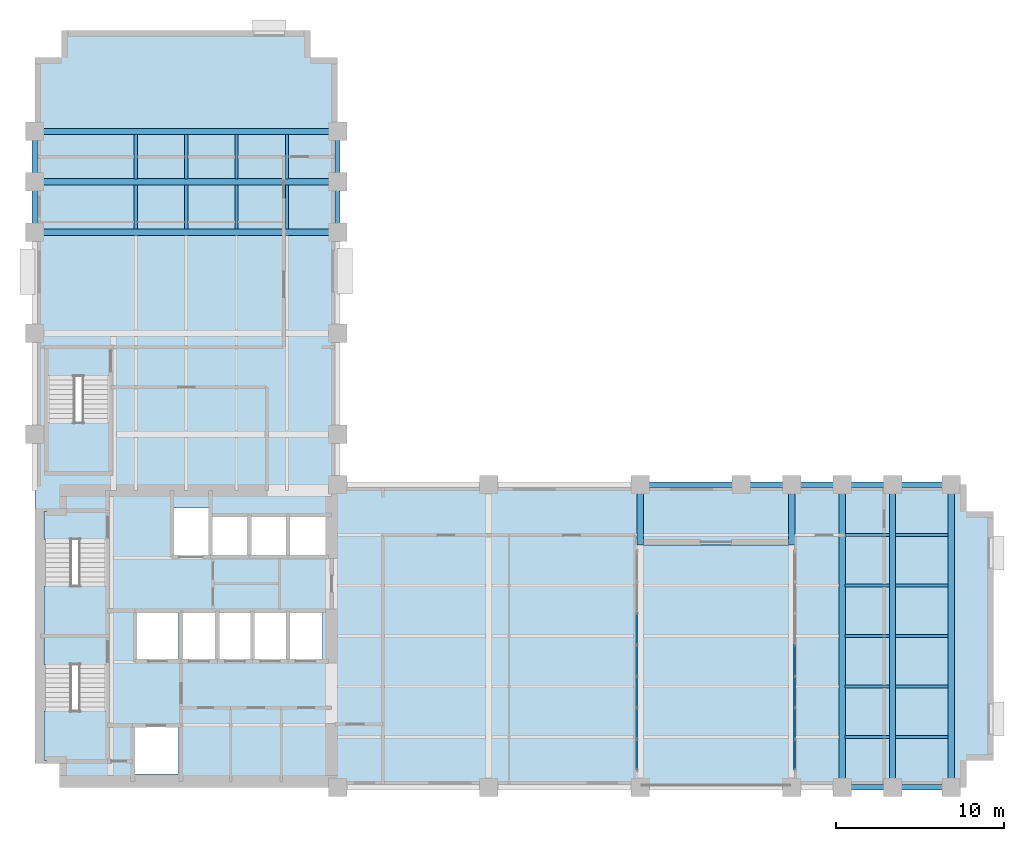
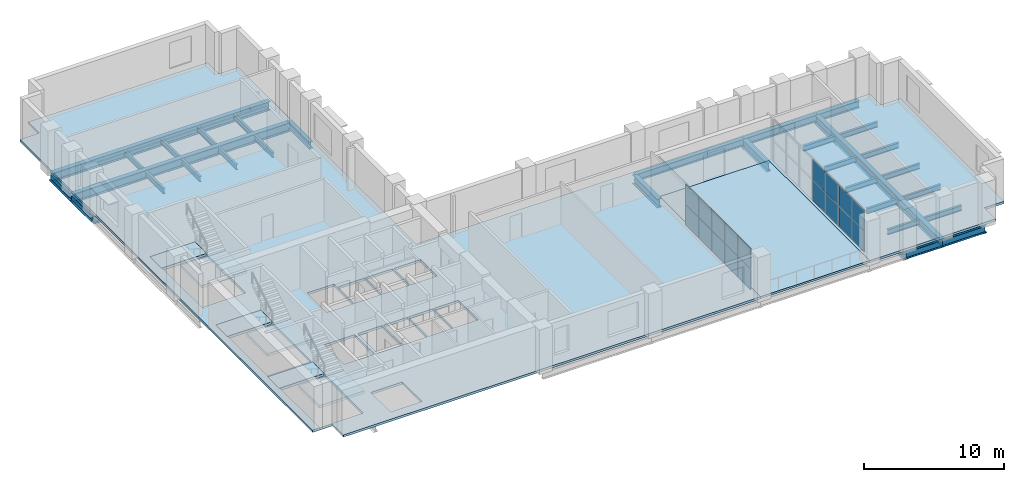
# One storey, part 6 of 12: 37 beams, 18 plates, 8 slabs, 5 elements without a shape of their own.
"""IFC4 building model written with IfcOpenShell, lengths in metres."""

import ifcopenshell
import ifcopenshell.guid

model = None  # the IFC model being written
_history = None  # IfcOwnerHistory: only IFC2X3 demands one
_inside = {}  # id of a spatial element -> (the spatial element, [elements in it])
_under = {}  # id of a project, library or spatial element -> (it, [spatial elements below it])
_declared = {}  # id of a project -> (the project, [libraries it declares])
_typed = {}  # id of a type object -> (the type object, [elements of that type])
_made_of = {}  # id of a material, layer set ... -> (it, [elements and type objects made of it])


def new_model(schema):
    """Start an empty IFC model of exactly this schema.

    Asked for "IFC4X3", IfcOpenShell would pick the latest addendum, in which some entities
    have other attributes; the version numbers below select the first issue.
    IFC2X3 requires an IfcOwnerHistory on every rooted entity: one is made here for all.
    """
    global model, _history
    if schema == "IFC4X3":
        model = ifcopenshell.file(schema_version=(4, 3, 0, 0))
    else:
        model = ifcopenshell.file(schema=schema)
    _inside.clear()
    _under.clear()
    _declared.clear()
    _typed.clear()
    _made_of.clear()
    _history = None
    if model.schema == "IFC2X3":
        org = make("IfcOrganization", Name="unknown")
        user = make(
            "IfcPersonAndOrganization",
            ThePerson=make("IfcPerson", FamilyName="unknown"),
            TheOrganization=org,
        )
        app = make(
            "IfcApplication",
            ApplicationDeveloper=org,
            Version="unknown",
            ApplicationFullName="unknown",
            ApplicationIdentifier="unknown",
        )
        _history = make(
            "IfcOwnerHistory",
            OwningUser=user,
            OwningApplication=app,
            ChangeAction="ADDED",
            CreationDate=0,
        )
    return model


def make(cls, **values):
    """One entity of the class cls with the attributes given. An attribute that is None is left unset."""
    return model.create_entity(
        cls, **{name: value for name, value in values.items() if value is not None}
    )


def rooted(cls, **values):
    """An entity with a GlobalId (a new one), such as an element, a storey or a relation."""
    return make(cls, GlobalId=ifcopenshell.guid.new(), OwnerHistory=_history, **values)


def si_unit(unit_type, name, prefix=None):
    """IfcSIUnit, for example si_unit("LENGTHUNIT", "METRE", prefix="MILLI")."""
    return make("IfcSIUnit", UnitType=unit_type, Prefix=prefix, Name=name)


def assignment(units):
    """IfcUnitAssignment: the units of a project."""
    return None if units is None else make("IfcUnitAssignment", Units=units)


def point(xyz):
    """IfcCartesianPoint."""
    return None if xyz is None else make("IfcCartesianPoint", Coordinates=xyz)


def direction(xyz):
    """IfcDirection."""
    return None if xyz is None else make("IfcDirection", DirectionRatios=xyz)


def frame(location, z_axis=None, x_axis=None):
    """IfcAxis2Placement3D, a coordinate frame: its origin and axes. An axis left out is left unset."""
    return make(
        "IfcAxis2Placement3D",
        Location=point(location),
        Axis=direction(z_axis),
        RefDirection=direction(x_axis),
    )


def frame_2d(location, x_axis=None):
    """IfcAxis2Placement2D, a coordinate frame in the plane: its origin and x axis."""
    return make(
        "IfcAxis2Placement2D", Location=point(location), RefDirection=direction(x_axis)
    )


def origin():
    """The frame at (0, 0, 0) with its axes left unset."""
    return frame((0.0, 0.0, 0.0))


def origin_2d():
    """The frame at (0, 0) in the plane with its x axis left unset."""
    return frame_2d((0.0, 0.0))


def place(relative_to, where):
    """IfcLocalPlacement: puts the frame where relative to a parent placement (None: the world)."""
    return make(
        "IfcLocalPlacement", PlacementRelTo=relative_to, RelativePlacement=where
    )


def context(
    kind, dimensions, precision=None, world=None, true_north=None, identifier=None
):
    """IfcGeometricRepresentationContext, for example the 3D "Model" context."""
    return make(
        "IfcGeometricRepresentationContext",
        ContextIdentifier=identifier,
        ContextType=kind,
        CoordinateSpaceDimension=dimensions,
        Precision=precision,
        WorldCoordinateSystem=world,
        TrueNorth=true_north,
    )


def subcontext(parent, identifier, kind, view, scale=None):
    """IfcGeometricRepresentationSubContext, for example "Body" below "Model"."""
    return make(
        "IfcGeometricRepresentationSubContext",
        ContextIdentifier=identifier,
        ContextType=kind,
        ParentContext=parent,
        TargetScale=scale,
        TargetView=view,
    )


def project(units=None, contexts=None):
    """IfcProject with its units and contexts."""
    return rooted(
        "IfcProject",
        Name="project",
        RepresentationContexts=contexts,
        UnitsInContext=assignment(units),
    )


def spatial(cls, under=None, at=None, **own):
    """A site, building, storey or space (cls), placed at a placement, below another one or the project."""
    s = rooted(cls, ObjectPlacement=at, **own)
    if under is not None:
        _under.setdefault(under.id(), (under, []))[1].append(s)
    return s


def polyline(points):
    """IfcPolyline through the points."""
    return make("IfcPolyline", Points=[point(p) for p in points])


def profile(cls, at=None, kind="AREA", **sizes):
    """A parametric profile (cls). Its sizes go by their IFC names, for example OverallWidth=200.0."""
    return make(cls, ProfileType=kind, Position=at, **sizes)


def rectangle(**sizes):
    """IfcRectangleProfileDef."""
    return profile("IfcRectangleProfileDef", **sizes)


def i_section(**sizes):
    """IfcIShapeProfileDef."""
    return profile("IfcIShapeProfileDef", **sizes)


def outline(outer, holes=None, kind="AREA"):
    """IfcArbitraryClosedProfileDef: a profile drawn as a closed curve; with holes, ...WithVoids."""
    if holes is None:
        return make("IfcArbitraryClosedProfileDef", ProfileType=kind, OuterCurve=outer)
    return make(
        "IfcArbitraryProfileDefWithVoids",
        ProfileType=kind,
        OuterCurve=outer,
        InnerCurves=holes,
    )


def extrude(swept, where, along, depth):
    """IfcExtrudedAreaSolid: the profile swept, set in the frame where, extruded along a direction by depth."""
    return make(
        "IfcExtrudedAreaSolid",
        SweptArea=swept,
        Position=where,
        ExtrudedDirection=direction(along),
        Depth=depth,
    )


def shape(context_of_items, identifier, shape_type, items):
    """IfcShapeRepresentation: the items that make up one representation, for example the "Body"."""
    return make(
        "IfcShapeRepresentation",
        ContextOfItems=context_of_items,
        RepresentationIdentifier=identifier,
        RepresentationType=shape_type,
        Items=items,
    )


def material(Name=None, Category=None):
    """IfcMaterial."""
    return make("IfcMaterial", Name=Name, Category=Category)


def layer(
    of_material, thickness, ventilated=None, Name=None, Category=None, Priority=None
):
    """IfcMaterialLayer: one layer of a wall or slab, of a material (None: an air gap)."""
    return make(
        "IfcMaterialLayer",
        Material=of_material,
        LayerThickness=thickness,
        IsVentilated=ventilated,
        Name=Name,
        Category=Category,
        Priority=Priority,
    )


def layer_set(layers, Name=None):
    """IfcMaterialLayerSet."""
    return make("IfcMaterialLayerSet", MaterialLayers=layers, LayerSetName=Name)


def material_profile(
    of_material, cross_section, Name=None, Category=None, Priority=None
):
    """IfcMaterialProfile: a cross section and its material."""
    return make(
        "IfcMaterialProfile",
        Name=Name,
        Material=of_material,
        Profile=cross_section,
        Priority=Priority,
        Category=Category,
    )


def profile_set(profiles, Name=None, composite=None):
    """IfcMaterialProfileSet."""
    return make(
        "IfcMaterialProfileSet",
        Name=Name,
        MaterialProfiles=profiles,
        CompositeProfile=composite,
    )


def made_of(thing, what):
    """Note that an element or type object is made of a material, layer set ...; save() writes the relation."""
    if what is not None:
        _made_of.setdefault(what.id(), (what, []))[1].append(thing)
    return thing


def type_object(cls, material=None, **own):
    """A type object (cls), such as IfcWallType, which elements share."""
    return made_of(rooted(cls, **own), material)


def element(
    cls,
    number,
    at=None,
    inside=None,
    cuts=None,
    type_object=None,
    material=None,
    context=None,
    identifier="Body",
    shape_type=None,
    held_by="IfcProductDefinitionShape",
    body=None,
    shapes=None,
    **own,
):
    """One element of the class cls, such as IfcWall. Its Tag is "e" and its number.

    at: its placement. inside: the storey or other place that contains it. cuts: it is an
    opening in that element (IfcRelVoidsElement). A single representation is given by context,
    identifier, shape_type and body (its items); several are given by shapes. held_by: the class
    of the entity that holds the representations. save() writes the other relations.
    """
    e = rooted(cls, Tag="e%d" % number, ObjectPlacement=at, **own)
    if body is not None:
        shapes = [shape(context, identifier, shape_type, body)]
    if shapes is not None:
        e.Representation = make(held_by, Representations=shapes)
    if inside is not None:
        _inside.setdefault(inside.id(), (inside, []))[1].append(e)
    if cuts is not None:
        rooted(
            "IfcRelVoidsElement", RelatingBuildingElement=cuts, RelatedOpeningElement=e
        )
    if type_object is not None:
        _typed.setdefault(type_object.id(), (type_object, []))[1].append(e)
    return made_of(e, material)


def aggregate(whole, parts):
    """IfcRelAggregates: a whole, such as a stair, and the parts it consists of."""
    return rooted("IfcRelAggregates", RelatingObject=whole, RelatedObjects=parts)


def save(model, path):
    """Write the relations noted so far, then the file.

    IfcRelAggregates (storeys below a building ...), IfcRelContainedInSpatialStructure (elements
    in a storey), IfcRelDefinesByType, IfcRelAssociatesMaterial and IfcRelDeclares: one each for
    every whole, place, type object, material and project.
    """
    for whole, parts in _under.values():
        aggregate(whole, parts)
    for where, things in _inside.values():
        rooted(
            "IfcRelContainedInSpatialStructure",
            RelatedElements=things,
            RelatingStructure=where,
        )
    for kind, things in _typed.values():
        rooted("IfcRelDefinesByType", RelatedObjects=things, RelatingType=kind)
    for what, things in _made_of.values():
        rooted("IfcRelAssociatesMaterial", RelatedObjects=things, RelatingMaterial=what)
    for by, libraries in _declared.values():
        rooted("IfcRelDeclares", RelatingContext=by, RelatedDefinitions=libraries)
    model.write(path)


model = new_model("IFC4")

# Units and contexts
model_context = context("Model", 3, precision=1e-05, world=origin(), true_north=direction((0.0, 1.0)))
body_context = subcontext(model_context, "Body", "Model", "MODEL_VIEW")
ifc_project = project(units=[si_unit("LENGTHUNIT", "METRE"), si_unit("AREAUNIT", "SQUARE_METRE"), si_unit("VOLUMEUNIT", "CUBIC_METRE"), si_unit("PLANEANGLEUNIT", "RADIAN"), si_unit("MASSUNIT", "GRAM", prefix="KILO")], contexts=[model_context])

# Site, building, storey
site_placement = place(None, origin())
site = spatial("IfcSite", under=ifc_project, at=site_placement, CompositionType="ELEMENT")
building_placement = place(site_placement, origin())
building = spatial("IfcBuilding", under=site, at=building_placement, Name="Mawjdan Bourse Tower", CompositionType="ELEMENT")
storey_placement = place(building_placement, frame((0.0, 0.0, 120.60009765625)))
storey = spatial("IfcBuildingStorey", under=building, at=storey_placement, Name="L28", CompositionType="ELEMENT", Elevation=120.60009765625)

# Beams
ifc_material_1 = material(Name="Structural Steel S355", Category="steel")
ifc_material_profile_1 = material_profile(ifc_material_1, i_section(OverallWidth=0.381103515625, OverallDepth=0.77294921875, WebThickness=0.0166015625, FlangeThickness=0.027099609375, FilletRadius=0.021728515625, at=origin_2d()), Name="W30X173")
ifc_profile_set_1 = profile_set([ifc_material_profile_1], Name="Structural Steel S355")
beam_type_1 = type_object("IfcBeamType", Name="GRD-W30X173", PredefinedType="BEAM", material=ifc_profile_set_1)
for number, where, z_axis, x_axis, name in (
    (1, (42.0, 17.39990234375, -0.586669921875), (0.0, 1.0, 0.0), (-1.0, 0.0, 0.0), "L28 East Wing Clear-Span Girder 004"),
    (2, (51.0, 17.39990234375, -0.586669921875), (0.0, 1.0, 0.0), (-1.0, 0.0, 0.0), "L28 East Wing Clear-Span Girder 006"),
):
    element("IfcBeam", number, at=place(storey_placement, frame(where, z_axis=z_axis, x_axis=x_axis)), inside=storey, type_object=beam_type_1, Name=name, PredefinedType="BEAM", context=body_context, shape_type="SweptSolid", body=[
        extrude(i_section(OverallWidth=0.381103515625, OverallDepth=0.77294921875, WebThickness=0.0166015625, FlangeThickness=0.027099609375, FilletRadius=0.021728515625, at=origin_2d()), origin(), (0.0, 0.0, 1.0), 3.60009765625),
    ])
for number, where, z_axis, x_axis, name in (
    (3, (54.0, 3.0, -0.586669921875), (0.0, 1.0, 0.0), (-1.0, 0.0, 0.0), "L28 East Wing Clear-Span Girder 007"),
    (4, (57.0, 3.0, -0.586669921875), (0.0, 1.0, 0.0), (-1.0, 0.0, 0.0), "L28 East Wing Clear-Span Girder 008"),
    (5, (60.5, 3.0, -0.586669921875), (0.0, 1.0, 0.0), (-1.0, 0.0, 0.0), "L28 East Wing Clear-Span Girder 009"),
    (6, (6.0, 36.0, -0.586669921875), (1.0, 0.0, 0.0), (0.0, 1.0, 0.0), "L28 North Wing Clear-Span Girder 060"),
    (7, (6.0, 39.0, -0.586669921875), (1.0, 0.0, 0.0), (0.0, 1.0, 0.0), "L28 North Wing Clear-Span Girder 061"),
    (8, (6.0, 42.0, -0.586669921875), (1.0, 0.0, 0.0), (0.0, 1.0, 0.0), "L28 North Wing Clear-Span Girder 062"),
):
    element("IfcBeam", number, at=place(storey_placement, frame(where, z_axis=z_axis, x_axis=x_axis)), inside=storey, type_object=beam_type_1, Name=name, PredefinedType="BEAM", context=body_context, shape_type="SweptSolid", body=[
        extrude(i_section(OverallWidth=0.381103515625, OverallDepth=0.77294921875, WebThickness=0.0166015625, FlangeThickness=0.027099609375, FilletRadius=0.021728515625, at=origin_2d()), origin(), (0.0, 0.0, 1.0), 18.0),
    ])
ifc_material_profile_2 = material_profile(ifc_material_1, i_section(OverallWidth=0.19189453125, OverallDepth=0.462890625, WebThickness=0.010498046875, FlangeThickness=0.017578125, FilletRadius=0.01416015625, at=origin_2d()), Name="W18X60")
ifc_profile_set_2 = profile_set([ifc_material_profile_2], Name="Structural Steel S355")
beam_type_2 = type_object("IfcBeamType", Name="JST-W18X60", PredefinedType="JOIST", material=ifc_profile_set_2)
beam_1_placement = place(storey_placement, frame((54.1884765625, 6.0, -0.431640625), z_axis=(1.0, 0.0, 0.0), x_axis=(0.0, 1.0, 0.0)))
element("IfcBeam", 9, at=beam_1_placement, inside=storey, type_object=beam_type_2, Name="L28 East Wing Composite Joist 027", PredefinedType="JOIST", context=body_context, shape_type="SweptSolid", body=[
    extrude(i_section(OverallWidth=0.19189453125, OverallDepth=0.462890625, WebThickness=0.010498046875, FlangeThickness=0.017578125, FilletRadius=0.01416015625, at=origin_2d()), origin(), (0.0, 0.0, 1.0), 2.623046875),
])
beam_2_placement = place(storey_placement, frame((57.1884765625, 6.0, -0.431640625), z_axis=(1.0, 0.0, 0.0), x_axis=(0.0, 1.0, 0.0)))
element("IfcBeam", 10, at=beam_2_placement, inside=storey, type_object=beam_type_2, Name="L28 East Wing Composite Joist 028", PredefinedType="JOIST", context=body_context, shape_type="SweptSolid", body=[
    extrude(i_section(OverallWidth=0.19189453125, OverallDepth=0.462890625, WebThickness=0.010498046875, FlangeThickness=0.017578125, FilletRadius=0.01416015625, at=origin_2d()), origin(), (0.0, 0.0, 1.0), 3.123046875),
])
beam_3_placement = place(storey_placement, frame((54.1884765625, 9.0, -0.431640625), z_axis=(1.0, 0.0, 0.0), x_axis=(0.0, 1.0, 0.0)))
element("IfcBeam", 11, at=beam_3_placement, inside=storey, type_object=beam_type_2, Name="L28 East Wing Composite Joist 033", PredefinedType="JOIST", context=body_context, shape_type="SweptSolid", body=[
    extrude(i_section(OverallWidth=0.19189453125, OverallDepth=0.462890625, WebThickness=0.010498046875, FlangeThickness=0.017578125, FilletRadius=0.01416015625, at=origin_2d()), origin(), (0.0, 0.0, 1.0), 2.623046875),
])
beam_4_placement = place(storey_placement, frame((57.1884765625, 9.0, -0.431640625), z_axis=(1.0, 0.0, 0.0), x_axis=(0.0, 1.0, 0.0)))
element("IfcBeam", 12, at=beam_4_placement, inside=storey, type_object=beam_type_2, Name="L28 East Wing Composite Joist 034", PredefinedType="JOIST", context=body_context, shape_type="SweptSolid", body=[
    extrude(i_section(OverallWidth=0.19189453125, OverallDepth=0.462890625, WebThickness=0.010498046875, FlangeThickness=0.017578125, FilletRadius=0.01416015625, at=origin_2d()), origin(), (0.0, 0.0, 1.0), 3.123046875),
])
beam_5_placement = place(storey_placement, frame((54.1884765625, 12.0, -0.431640625), z_axis=(1.0, 0.0, 0.0), x_axis=(0.0, 1.0, 0.0)))
element("IfcBeam", 13, at=beam_5_placement, inside=storey, type_object=beam_type_2, Name="L28 East Wing Composite Joist 039", PredefinedType="JOIST", context=body_context, shape_type="SweptSolid", body=[
    extrude(i_section(OverallWidth=0.19189453125, OverallDepth=0.462890625, WebThickness=0.010498046875, FlangeThickness=0.017578125, FilletRadius=0.01416015625, at=origin_2d()), origin(), (0.0, 0.0, 1.0), 2.623046875),
])
beam_6_placement = place(storey_placement, frame((57.1884765625, 12.0, -0.431640625), z_axis=(1.0, 0.0, 0.0), x_axis=(0.0, 1.0, 0.0)))
element("IfcBeam", 14, at=beam_6_placement, inside=storey, type_object=beam_type_2, Name="L28 East Wing Composite Joist 040", PredefinedType="JOIST", context=body_context, shape_type="SweptSolid", body=[
    extrude(i_section(OverallWidth=0.19189453125, OverallDepth=0.462890625, WebThickness=0.010498046875, FlangeThickness=0.017578125, FilletRadius=0.01416015625, at=origin_2d()), origin(), (0.0, 0.0, 1.0), 3.123046875),
])
beam_7_placement = place(storey_placement, frame((54.1884765625, 15.0, -0.431640625), z_axis=(1.0, 0.0, 0.0), x_axis=(0.0, 1.0, 0.0)))
element("IfcBeam", 15, at=beam_7_placement, inside=storey, type_object=beam_type_2, Name="L28 East Wing Composite Joist 045", PredefinedType="JOIST", context=body_context, shape_type="SweptSolid", body=[
    extrude(i_section(OverallWidth=0.19189453125, OverallDepth=0.462890625, WebThickness=0.010498046875, FlangeThickness=0.017578125, FilletRadius=0.01416015625, at=origin_2d()), origin(), (0.0, 0.0, 1.0), 2.623046875),
])
beam_8_placement = place(storey_placement, frame((57.1884765625, 15.0, -0.431640625), z_axis=(1.0, 0.0, 0.0), x_axis=(0.0, 1.0, 0.0)))
element("IfcBeam", 16, at=beam_8_placement, inside=storey, type_object=beam_type_2, Name="L28 East Wing Composite Joist 046", PredefinedType="JOIST", context=body_context, shape_type="SweptSolid", body=[
    extrude(i_section(OverallWidth=0.19189453125, OverallDepth=0.462890625, WebThickness=0.010498046875, FlangeThickness=0.017578125, FilletRadius=0.01416015625, at=origin_2d()), origin(), (0.0, 0.0, 1.0), 3.123046875),
])
beam_9_placement = place(storey_placement, frame((54.1884765625, 18.0, -0.431640625), z_axis=(1.0, 0.0, 0.0), x_axis=(0.0, 1.0, 0.0)))
element("IfcBeam", 17, at=beam_9_placement, inside=storey, type_object=beam_type_2, Name="L28 East Wing Composite Joist 051", PredefinedType="JOIST", context=body_context, shape_type="SweptSolid", body=[
    extrude(i_section(OverallWidth=0.19189453125, OverallDepth=0.462890625, WebThickness=0.010498046875, FlangeThickness=0.017578125, FilletRadius=0.01416015625, at=origin_2d()), origin(), (0.0, 0.0, 1.0), 2.623046875),
])
beam_10_placement = place(storey_placement, frame((57.1884765625, 18.0, -0.431640625), z_axis=(1.0, 0.0, 0.0), x_axis=(0.0, 1.0, 0.0)))
element("IfcBeam", 18, at=beam_10_placement, inside=storey, type_object=beam_type_2, Name="L28 East Wing Composite Joist 052", PredefinedType="JOIST", context=body_context, shape_type="SweptSolid", body=[
    extrude(i_section(OverallWidth=0.19189453125, OverallDepth=0.462890625, WebThickness=0.010498046875, FlangeThickness=0.017578125, FilletRadius=0.01416015625, at=origin_2d()), origin(), (0.0, 0.0, 1.0), 3.123046875),
])
for number, where, z_axis, x_axis, name in (
    (19, (12.0, 36.1884765625, -0.431640625), (0.0, 1.0, 0.0), (-1.0, 0.0, 0.0), "L28 North Wing Composite Joist 076"),
    (20, (12.0, 39.1884765625, -0.431640625), (0.0, 1.0, 0.0), (-1.0, 0.0, 0.0), "L28 North Wing Composite Joist 077"),
    (21, (15.0, 36.1884765625, -0.431640625), (0.0, 1.0, 0.0), (-1.0, 0.0, 0.0), "L28 North Wing Composite Joist 081"),
    (22, (15.0, 39.1884765625, -0.431640625), (0.0, 1.0, 0.0), (-1.0, 0.0, 0.0), "L28 North Wing Composite Joist 082"),
    (23, (18.0, 36.1884765625, -0.431640625), (0.0, 1.0, 0.0), (-1.0, 0.0, 0.0), "L28 North Wing Composite Joist 086"),
    (24, (18.0, 39.1884765625, -0.431640625), (0.0, 1.0, 0.0), (-1.0, 0.0, 0.0), "L28 North Wing Composite Joist 087"),
    (25, (21.0, 36.1884765625, -0.431640625), (0.0, 1.0, 0.0), (-1.0, 0.0, 0.0), "L28 North Wing Composite Joist 091"),
    (26, (21.0, 39.1884765625, -0.431640625), (0.0, 1.0, 0.0), (-1.0, 0.0, 0.0), "L28 North Wing Composite Joist 092"),
):
    element("IfcBeam", number, at=place(storey_placement, frame(where, z_axis=z_axis, x_axis=x_axis)), inside=storey, type_object=beam_type_2, Name=name, PredefinedType="JOIST", context=body_context, shape_type="SweptSolid", body=[
        extrude(i_section(OverallWidth=0.19189453125, OverallDepth=0.462890625, WebThickness=0.010498046875, FlangeThickness=0.017578125, FilletRadius=0.01416015625, at=origin_2d()), origin(), (0.0, 0.0, 1.0), 2.623046875),
    ])
ifc_material_profile_3 = material_profile(ifc_material_1, i_section(OverallWidth=0.324951171875, OverallDepth=0.616943359375, WebThickness=0.013916015625, FlangeThickness=0.021484375, FilletRadius=0.017333984375, at=origin_2d()), Name="W24X117")
ifc_profile_set_3 = profile_set([ifc_material_profile_3], Name="Structural Steel S355")
beam_type_3 = type_object("IfcBeamType", Name="SPN-W24X117", PredefinedType="SPANDREL", material=ifc_profile_set_3)
beam_11_placement = place(storey_placement, frame((54.0, 3.0, -0.508544921875), z_axis=(1.0, 0.0, 0.0), x_axis=(0.0, 1.0, 0.0)))
element("IfcBeam", 27, at=beam_11_placement, inside=storey, type_object=beam_type_3, Name="L28 Perimeter Masonry-Shelf Spandrel 014", PredefinedType="SPANDREL", context=body_context, shape_type="SweptSolid", body=[
    extrude(i_section(OverallWidth=0.324951171875, OverallDepth=0.616943359375, WebThickness=0.013916015625, FlangeThickness=0.021484375, FilletRadius=0.017333984375, at=origin_2d()), origin(), (0.0, 0.0, 1.0), 3.0),
])
beam_12_placement = place(storey_placement, frame((57.0, 3.0, -0.508544921875), z_axis=(1.0, 0.0, 0.0), x_axis=(0.0, 1.0, 0.0)))
element("IfcBeam", 28, at=beam_12_placement, inside=storey, type_object=beam_type_3, Name="L28 Perimeter Masonry-Shelf Spandrel 015", PredefinedType="SPANDREL", context=body_context, shape_type="SweptSolid", body=[
    extrude(i_section(OverallWidth=0.324951171875, OverallDepth=0.616943359375, WebThickness=0.013916015625, FlangeThickness=0.021484375, FilletRadius=0.017333984375, at=origin_2d()), origin(), (0.0, 0.0, 1.0), 3.5),
])
beam_13_placement = place(storey_placement, frame((42.0, 21.0, -0.508544921875), z_axis=(1.0, 0.0, 0.0), x_axis=(0.0, 1.0, 0.0)))
element("IfcBeam", 29, at=beam_13_placement, inside=storey, type_object=beam_type_3, Name="L28 Perimeter Masonry-Shelf Spandrel 018", PredefinedType="SPANDREL", context=body_context, shape_type="SweptSolid", body=[
    extrude(i_section(OverallWidth=0.324951171875, OverallDepth=0.616943359375, WebThickness=0.013916015625, FlangeThickness=0.021484375, FilletRadius=0.017333984375, at=origin_2d()), origin(), (0.0, 0.0, 1.0), 6.0),
])
for number, where, z_axis, x_axis, name in (
    (30, (48.0, 21.0, -0.508544921875), (1.0, 0.0, 0.0), (0.0, 1.0, 0.0), "L28 Perimeter Masonry-Shelf Spandrel 019"),
    (31, (51.0, 21.0, -0.508544921875), (1.0, 0.0, 0.0), (0.0, 1.0, 0.0), "L28 Perimeter Masonry-Shelf Spandrel 020"),
    (32, (54.0, 21.0, -0.508544921875), (1.0, 0.0, 0.0), (0.0, 1.0, 0.0), "L28 Perimeter Masonry-Shelf Spandrel 021"),
):
    element("IfcBeam", number, at=place(storey_placement, frame(where, z_axis=z_axis, x_axis=x_axis)), inside=storey, type_object=beam_type_3, Name=name, PredefinedType="SPANDREL", context=body_context, shape_type="SweptSolid", body=[
        extrude(i_section(OverallWidth=0.324951171875, OverallDepth=0.616943359375, WebThickness=0.013916015625, FlangeThickness=0.021484375, FilletRadius=0.017333984375, at=origin_2d()), origin(), (0.0, 0.0, 1.0), 3.0),
    ])
beam_14_placement = place(storey_placement, frame((57.0, 21.0, -0.508544921875), z_axis=(1.0, 0.0, 0.0), x_axis=(0.0, 1.0, 0.0)))
element("IfcBeam", 33, at=beam_14_placement, inside=storey, type_object=beam_type_3, Name="L28 Perimeter Masonry-Shelf Spandrel 022", PredefinedType="SPANDREL", context=body_context, shape_type="SweptSolid", body=[
    extrude(i_section(OverallWidth=0.324951171875, OverallDepth=0.616943359375, WebThickness=0.013916015625, FlangeThickness=0.021484375, FilletRadius=0.017333984375, at=origin_2d()), origin(), (0.0, 0.0, 1.0), 3.5),
])
for number, where, z_axis, x_axis, name in (
    (34, (6.0, 36.0, -0.508544921875), (0.0, 1.0, 0.0), (-1.0, 0.0, 0.0), "L28 North Wing Spandrel 066"),
    (35, (6.0, 39.0, -0.508544921875), (0.0, 1.0, 0.0), (-1.0, 0.0, 0.0), "L28 North Wing Spandrel 067"),
    (36, (24.0, 36.0, -0.508544921875), (0.0, 1.0, 0.0), (-1.0, 0.0, 0.0), "L28 North Wing Spandrel 071"),
    (37, (24.0, 39.0, -0.508544921875), (0.0, 1.0, 0.0), (-1.0, 0.0, 0.0), "L28 North Wing Spandrel 072"),
):
    element("IfcBeam", number, at=place(storey_placement, frame(where, z_axis=z_axis, x_axis=x_axis)), inside=storey, type_object=beam_type_3, Name=name, PredefinedType="SPANDREL", context=body_context, shape_type="SweptSolid", body=[
        extrude(i_section(OverallWidth=0.324951171875, OverallDepth=0.616943359375, WebThickness=0.013916015625, FlangeThickness=0.021484375, FilletRadius=0.017333984375, at=origin_2d()), origin(), (0.0, 0.0, 1.0), 3.0),
    ])

# Curtain wall, plates
ifc_material_2 = material(Name="Thermally Broken Aluminium and Solar Glass", Category="aluminium")
ifc_layer_1 = layer(ifc_material_2, 0.219970703125)
ifc_layer_set_1 = layer_set([ifc_layer_1], Name="Thermally Broken Aluminium and Solar Glass")
curtain_wall_type = type_object("IfcCurtainWallType", Name="CW-POR", PredefinedType="USERDEFINED", material=ifc_layer_set_1)
curtain_wall_1_placement = place(storey_placement, origin())
curtain_wall_1 = element("IfcCurtainWall", 38, at=curtain_wall_1_placement, inside=storey, type_object=curtain_wall_type, Name="L28 East Void Portal Glazed Cheek 1", ObjectType="VOID PORTAL CURTAIN WALL", PredefinedType="USERDEFINED")
ifc_material_3 = material(Name="Wind-Rated Portal Clear Glass", Category="glass")
ifc_layer_2 = layer(ifc_material_3, 0.0400390625)
ifc_layer_set_2 = layer_set([ifc_layer_2], Name="Wind-Rated Portal Clear Glass")
plate_type = type_object("IfcPlateType", Name="PNL-CW-POR", PredefinedType="CURTAIN_PANEL", material=ifc_layer_set_2)
plate_1_placement = place(storey_placement, frame((41.81005859375, 4.953125, 0.054931640625), z_axis=(0.0, 0.0, 1.0), x_axis=(0.0, 1.0, 0.0)))
plate_1 = element("IfcPlate", 39, at=plate_1_placement, type_object=plate_type, Name="CW-POR-L28-POR-E1 panel 1.1", PredefinedType="CURTAIN_PANEL", context=body_context, shape_type="SweptSolid", body=[
    extrude(rectangle(XDim=1.766357421875, YDim=0.0400390625, at=origin_2d()), origin(), (0.0, 0.0, 1.0), 1.767578125),
])
plate_2_placement = place(storey_placement, frame((41.81005859375, 4.953125, 1.87744140625), z_axis=(0.0, 0.0, 1.0), x_axis=(0.0, 1.0, 0.0)))
plate_2 = element("IfcPlate", 40, at=plate_2_placement, type_object=plate_type, Name="CW-POR-L28-POR-E1 panel 1.2", PredefinedType="CURTAIN_PANEL", context=body_context, shape_type="SweptSolid", body=[
    extrude(rectangle(XDim=1.766357421875, YDim=0.0400390625, at=origin_2d()), origin(), (0.0, 0.0, 1.0), 1.767578125),
])
plate_3_placement = place(storey_placement, frame((41.81005859375, 6.80712890625, 0.054931640625), z_axis=(0.0, 0.0, 1.0), x_axis=(0.0, 1.0, 0.0)))
plate_3 = element("IfcPlate", 41, at=plate_3_placement, type_object=plate_type, Name="CW-POR-L28-POR-E1 panel 2.1", PredefinedType="CURTAIN_PANEL", context=body_context, shape_type="SweptSolid", body=[
    extrude(rectangle(XDim=1.801513671875, YDim=0.0400390625, at=origin_2d()), origin(), (0.0, 0.0, 1.0), 1.767578125),
])
plate_4_placement = place(storey_placement, frame((41.81005859375, 6.80712890625, 1.87744140625), z_axis=(0.0, 0.0, 1.0), x_axis=(0.0, 1.0, 0.0)))
plate_4 = element("IfcPlate", 42, at=plate_4_placement, type_object=plate_type, Name="CW-POR-L28-POR-E1 panel 2.2", PredefinedType="CURTAIN_PANEL", context=body_context, shape_type="SweptSolid", body=[
    extrude(rectangle(XDim=1.801513671875, YDim=0.0400390625, at=origin_2d()), origin(), (0.0, 0.0, 1.0), 1.767578125),
])
plate_5_placement = place(storey_placement, frame((41.81005859375, 8.678466796875, 0.054931640625), z_axis=(0.0, 0.0, 1.0), x_axis=(0.0, 1.0, 0.0)))
plate_5 = element("IfcPlate", 43, at=plate_5_placement, type_object=plate_type, Name="CW-POR-L28-POR-E1 panel 3.1", PredefinedType="CURTAIN_PANEL", context=body_context, shape_type="SweptSolid", body=[
    extrude(rectangle(XDim=1.801513671875, YDim=0.0400390625, at=origin_2d()), origin(), (0.0, 0.0, 1.0), 1.767578125),
])
plate_6_placement = place(storey_placement, frame((41.81005859375, 8.678466796875, 1.87744140625), z_axis=(0.0, 0.0, 1.0), x_axis=(0.0, 1.0, 0.0)))
plate_6 = element("IfcPlate", 44, at=plate_6_placement, type_object=plate_type, Name="CW-POR-L28-POR-E1 panel 3.2", PredefinedType="CURTAIN_PANEL", context=body_context, shape_type="SweptSolid", body=[
    extrude(rectangle(XDim=1.801513671875, YDim=0.0400390625, at=origin_2d()), origin(), (0.0, 0.0, 1.0), 1.767578125),
])
plate_7_placement = place(storey_placement, frame((41.81005859375, 10.550048828125, 0.054931640625), z_axis=(0.0, 0.0, 1.0), x_axis=(0.0, 1.0, 0.0)))
plate_7 = element("IfcPlate", 45, at=plate_7_placement, type_object=plate_type, Name="CW-POR-L28-POR-E1 panel 4.1", PredefinedType="CURTAIN_PANEL", context=body_context, shape_type="SweptSolid", body=[
    extrude(rectangle(XDim=1.801513671875, YDim=0.0400390625, at=origin_2d()), origin(), (0.0, 0.0, 1.0), 1.767578125),
])
plate_8_placement = place(storey_placement, frame((41.81005859375, 10.550048828125, 1.87744140625), z_axis=(0.0, 0.0, 1.0), x_axis=(0.0, 1.0, 0.0)))
plate_8 = element("IfcPlate", 46, at=plate_8_placement, type_object=plate_type, Name="CW-POR-L28-POR-E1 panel 4.2", PredefinedType="CURTAIN_PANEL", context=body_context, shape_type="SweptSolid", body=[
    extrude(rectangle(XDim=1.801513671875, YDim=0.0400390625, at=origin_2d()), origin(), (0.0, 0.0, 1.0), 1.767578125),
])
plate_9_placement = place(storey_placement, frame((41.81005859375, 12.42138671875, 0.054931640625), z_axis=(0.0, 0.0, 1.0), x_axis=(0.0, 1.0, 0.0)))
plate_9 = element("IfcPlate", 47, at=plate_9_placement, type_object=plate_type, Name="CW-POR-L28-POR-E1 panel 5.1", PredefinedType="CURTAIN_PANEL", context=body_context, shape_type="SweptSolid", body=[
    extrude(rectangle(XDim=1.801513671875, YDim=0.0400390625, at=origin_2d()), origin(), (0.0, 0.0, 1.0), 1.767578125),
])
plate_10_placement = place(storey_placement, frame((41.81005859375, 12.42138671875, 1.87744140625), z_axis=(0.0, 0.0, 1.0), x_axis=(0.0, 1.0, 0.0)))
plate_10 = element("IfcPlate", 48, at=plate_10_placement, type_object=plate_type, Name="CW-POR-L28-POR-E1 panel 5.2", PredefinedType="CURTAIN_PANEL", context=body_context, shape_type="SweptSolid", body=[
    extrude(rectangle(XDim=1.801513671875, YDim=0.0400390625, at=origin_2d()), origin(), (0.0, 0.0, 1.0), 1.767578125),
])
aggregate(curtain_wall_1, [plate_1, plate_2, plate_3, plate_4, plate_5, plate_6, plate_7, plate_8, plate_9, plate_10])

curtain_wall_2_placement = place(storey_placement, origin())
curtain_wall_2 = element("IfcCurtainWall", 49, at=curtain_wall_2_placement, inside=storey, type_object=curtain_wall_type, Name="L28 East Void Portal Glazed Cheek 3", ObjectType="VOID PORTAL CURTAIN WALL", PredefinedType="USERDEFINED")
plate_11_placement = place(storey_placement, frame((51.18994140625, 10.550048828125, 0.054931640625), z_axis=(0.0, 0.0, 1.0), x_axis=(0.0, -1.0, 0.0)))
plate_11 = element("IfcPlate", 50, at=plate_11_placement, type_object=plate_type, Name="CW-POR-L28-POR-E3 panel 4.1", PredefinedType="CURTAIN_PANEL", context=body_context, shape_type="SweptSolid", body=[
    extrude(rectangle(XDim=1.801513671875, YDim=0.0400390625, at=origin_2d()), origin(), (0.0, 0.0, 1.0), 1.767578125),
])
plate_12_placement = place(storey_placement, frame((51.18994140625, 10.550048828125, 1.87744140625), z_axis=(0.0, 0.0, 1.0), x_axis=(0.0, -1.0, 0.0)))
plate_12 = element("IfcPlate", 51, at=plate_12_placement, type_object=plate_type, Name="CW-POR-L28-POR-E3 panel 4.2", PredefinedType="CURTAIN_PANEL", context=body_context, shape_type="SweptSolid", body=[
    extrude(rectangle(XDim=1.801513671875, YDim=0.0400390625, at=origin_2d()), origin(), (0.0, 0.0, 1.0), 1.767578125),
])
plate_13_placement = place(storey_placement, frame((51.18994140625, 8.678466796875, 0.054931640625), z_axis=(0.0, 0.0, 1.0), x_axis=(0.0, -1.0, 0.0)))
plate_13 = element("IfcPlate", 52, at=plate_13_placement, type_object=plate_type, Name="CW-POR-L28-POR-E3 panel 5.1", PredefinedType="CURTAIN_PANEL", context=body_context, shape_type="SweptSolid", body=[
    extrude(rectangle(XDim=1.801513671875, YDim=0.0400390625, at=origin_2d()), origin(), (0.0, 0.0, 1.0), 1.767578125),
])
plate_14_placement = place(storey_placement, frame((51.18994140625, 8.678466796875, 1.87744140625), z_axis=(0.0, 0.0, 1.0), x_axis=(0.0, -1.0, 0.0)))
plate_14 = element("IfcPlate", 53, at=plate_14_placement, type_object=plate_type, Name="CW-POR-L28-POR-E3 panel 5.2", PredefinedType="CURTAIN_PANEL", context=body_context, shape_type="SweptSolid", body=[
    extrude(rectangle(XDim=1.801513671875, YDim=0.0400390625, at=origin_2d()), origin(), (0.0, 0.0, 1.0), 1.767578125),
])
plate_15_placement = place(storey_placement, frame((51.18994140625, 6.80712890625, 0.054931640625), z_axis=(0.0, 0.0, 1.0), x_axis=(0.0, -1.0, 0.0)))
plate_15 = element("IfcPlate", 54, at=plate_15_placement, type_object=plate_type, Name="CW-POR-L28-POR-E3 panel 6.1", PredefinedType="CURTAIN_PANEL", context=body_context, shape_type="SweptSolid", body=[
    extrude(rectangle(XDim=1.801513671875, YDim=0.0400390625, at=origin_2d()), origin(), (0.0, 0.0, 1.0), 1.767578125),
])
plate_16_placement = place(storey_placement, frame((51.18994140625, 6.80712890625, 1.87744140625), z_axis=(0.0, 0.0, 1.0), x_axis=(0.0, -1.0, 0.0)))
plate_16 = element("IfcPlate", 55, at=plate_16_placement, type_object=plate_type, Name="CW-POR-L28-POR-E3 panel 6.2", PredefinedType="CURTAIN_PANEL", context=body_context, shape_type="SweptSolid", body=[
    extrude(rectangle(XDim=1.801513671875, YDim=0.0400390625, at=origin_2d()), origin(), (0.0, 0.0, 1.0), 1.767578125),
])
plate_17_placement = place(storey_placement, frame((51.18994140625, 4.953125, 0.054931640625), z_axis=(0.0, 0.0, 1.0), x_axis=(0.0, -1.0, 0.0)))
plate_17 = element("IfcPlate", 56, at=plate_17_placement, type_object=plate_type, Name="CW-POR-L28-POR-E3 panel 7.1", PredefinedType="CURTAIN_PANEL", context=body_context, shape_type="SweptSolid", body=[
    extrude(rectangle(XDim=1.766357421875, YDim=0.0400390625, at=origin_2d()), origin(), (0.0, 0.0, 1.0), 1.767578125),
])
plate_18_placement = place(storey_placement, frame((51.18994140625, 4.953125, 1.87744140625), z_axis=(0.0, 0.0, 1.0), x_axis=(0.0, -1.0, 0.0)))
plate_18 = element("IfcPlate", 57, at=plate_18_placement, type_object=plate_type, Name="CW-POR-L28-POR-E3 panel 7.2", PredefinedType="CURTAIN_PANEL", context=body_context, shape_type="SweptSolid", body=[
    extrude(rectangle(XDim=1.766357421875, YDim=0.0400390625, at=origin_2d()), origin(), (0.0, 0.0, 1.0), 1.767578125),
])
aggregate(curtain_wall_2, [plate_11, plate_12, plate_13, plate_14, plate_15, plate_16, plate_17, plate_18])

# Stair, slabs
ifc_material_4 = material(Name="Concrete C50/60", Category="concrete")
stair_type = type_object("IfcStairType", Name="STR-CORE-1500", PredefinedType="HALF_TURN_STAIR", material=ifc_material_4)
stair_1_placement = place(storey_placement, origin())
stair_1 = element("IfcStair", 58, at=stair_1_placement, inside=storey, type_object=stair_type, Name="L28 Exit Stair 1 (Core South-West)", PredefinedType="HALF_TURN_STAIR")
ifc_layer_3 = layer(ifc_material_4, 0.22998046875)
ifc_layer_set_3 = layer_set([ifc_layer_3], Name="Concrete C50/60")
slab_type_1 = type_object("IfcSlabType", Name="SL-LND-230", PredefinedType="LANDING", material=ifc_layer_set_3)
slab_1_placement = place(storey_placement, frame((0.0, 0.0, -0.22998046875)))
slab_1 = element("IfcSlab", 59, at=slab_1_placement, type_object=slab_type_1, Name="ST1-L28 landing 1", PredefinedType="LANDING", context=body_context, shape_type="SweptSolid", body=[
    extrude(outline(polyline([(6.5400390625, 10.31005859375), (10.260009765625, 10.31005859375), (10.260009765625, 11.969970703125), (6.5400390625, 11.969970703125), (6.5400390625, 10.31005859375)])), origin(), (0.0, 0.0, 1.0), 0.22998046875),
])
slab_2_placement = place(storey_placement, frame((0.0, 0.0, 1.719970703125)))
slab_2 = element("IfcSlab", 60, at=slab_2_placement, type_object=slab_type_1, Name="ST1-L28 landing 2", PredefinedType="LANDING", context=body_context, shape_type="SweptSolid", body=[
    extrude(outline(polyline([(6.5400390625, 4.590087890625), (10.260009765625, 4.590087890625), (10.260009765625, 7.5400390625), (6.5400390625, 7.5400390625), (6.5400390625, 4.590087890625)])), origin(), (0.0, 0.0, 1.0), 0.22998046875),
])
aggregate(stair_1, [slab_1, slab_2])

stair_2_placement = place(storey_placement, origin())
stair_2 = element("IfcStair", 61, at=stair_2_placement, inside=storey, type_object=stair_type, Name="L28 Exit Stair 2 (Core North-West)", PredefinedType="HALF_TURN_STAIR")
slab_3_placement = place(storey_placement, frame((0.0, 0.0, -0.22998046875)))
slab_3 = element("IfcSlab", 62, at=slab_3_placement, type_object=slab_type_1, Name="ST2-L28 landing 1", PredefinedType="LANDING", context=body_context, shape_type="SweptSolid", body=[
    extrude(outline(polyline([(6.5400390625, 17.75), (10.260009765625, 17.75), (10.260009765625, 19.409912109375), (6.5400390625, 19.409912109375), (6.5400390625, 17.75)])), origin(), (0.0, 0.0, 1.0), 0.22998046875),
])
slab_4_placement = place(storey_placement, frame((0.0, 0.0, 1.719970703125)))
slab_4 = element("IfcSlab", 63, at=slab_4_placement, type_object=slab_type_1, Name="ST2-L28 landing 2", PredefinedType="LANDING", context=body_context, shape_type="SweptSolid", body=[
    extrude(outline(polyline([(6.5400390625, 12.030029296875), (10.260009765625, 12.030029296875), (10.260009765625, 14.97998046875), (6.5400390625, 14.97998046875), (6.5400390625, 12.030029296875)])), origin(), (0.0, 0.0, 1.0), 0.22998046875),
])
aggregate(stair_2, [slab_3, slab_4])

stair_3_placement = place(storey_placement, origin())
stair_3 = element("IfcStair", 64, at=stair_3_placement, inside=storey, type_object=stair_type, Name="L28 Exit Stair 3 (North Wing)", PredefinedType="HALF_TURN_STAIR")
slab_5_placement = place(storey_placement, frame((0.0, 0.0, -0.22998046875)))
slab_5 = element("IfcSlab", 65, at=slab_5_placement, type_object=slab_type_1, Name="ST3-L28 landing 1", PredefinedType="LANDING", context=body_context, shape_type="SweptSolid", body=[
    extrude(outline(polyline([(6.739990234375, 27.4599609375), (10.4599609375, 27.4599609375), (10.4599609375, 29.1201171875), (6.739990234375, 29.1201171875), (6.739990234375, 27.4599609375)])), origin(), (0.0, 0.0, 1.0), 0.22998046875),
])
slab_6_placement = place(storey_placement, frame((0.0, 0.0, 1.719970703125)))
slab_6 = element("IfcSlab", 66, at=slab_6_placement, type_object=slab_type_1, Name="ST3-L28 landing 2", PredefinedType="LANDING", context=body_context, shape_type="SweptSolid", body=[
    extrude(outline(polyline([(6.739990234375, 21.739990234375), (10.4599609375, 21.739990234375), (10.4599609375, 24.68994140625), (6.739990234375, 24.68994140625), (6.739990234375, 21.739990234375)])), origin(), (0.0, 0.0, 1.0), 0.22998046875),
])
aggregate(stair_3, [slab_5, slab_6])

# Slabs
ifc_layer_4 = layer(ifc_material_4, 0.199951171875)
ifc_layer_set_4 = layer_set([ifc_layer_4], Name="Concrete C50/60")
slab_type_2 = type_object("IfcSlabType", Name="SL-OFC-200", PredefinedType="FLOOR", material=ifc_layer_set_4)
slab_7_placement = place(storey_placement, frame((0.0, 0.0, -0.2001953125)))
element("IfcSlab", 67, at=slab_7_placement, inside=storey, type_object=slab_type_2, Name="L28 Structural Floor Slab 1", PredefinedType="FLOOR", context=body_context, shape_type="SweptSolid", body=[
    extrude(outline(polyline([(7.60009765625, 3.0), (42.0, 3.0), (42.0, 17.39990234375), (51.0, 17.39990234375), (51.0, 3.0), (61.39990234375, 3.0), (61.39990234375, 4.60009765625), (63.0, 4.60009765625), (63.0, 19.39990234375), (61.39990234375, 19.39990234375), (61.39990234375, 21.0), (24.0, 21.0), (24.0, 46.39990234375), (22.39990234375, 46.39990234375), (22.39990234375, 48.0), (7.60009765625, 48.0), (7.60009765625, 46.39990234375), (6.0, 46.39990234375), (6.0, 4.60009765625), (7.60009765625, 4.60009765625), (7.60009765625, 3.0)]), holes=[polyline([(11.949951171875, 3.800048828125), (11.949951171875, 6.60009765625), (14.550048828125, 6.60009765625), (14.550048828125, 3.800048828125), (11.949951171875, 3.800048828125)]), polyline([(6.60009765625, 10.31005859375), (6.5400390625, 10.31005859375), (6.5400390625, 11.969970703125), (10.260009765625, 11.969970703125), (10.260009765625, 10.31005859375), (10.199951171875, 10.31005859375), (10.199951171875, 4.64990234375), (6.60009765625, 4.64990234375), (6.60009765625, 10.31005859375)]), polyline([(12.050048828125, 10.60009765625), (12.050048828125, 13.39990234375), (14.550048828125, 13.39990234375), (14.550048828125, 10.60009765625), (12.050048828125, 10.60009765625)]), polyline([(10.260009765625, 19.409912109375), (10.260009765625, 17.75), (10.199951171875, 17.75), (10.199951171875, 12.090087890625), (6.60009765625, 12.090087890625), (6.60009765625, 17.75), (6.5400390625, 17.75), (6.5400390625, 19.409912109375), (10.260009765625, 19.409912109375)]), polyline([(10.4599609375, 29.1201171875), (10.4599609375, 27.4599609375), (10.39990234375, 27.4599609375), (10.39990234375, 21.800048828125), (6.800048828125, 21.800048828125), (6.800048828125, 27.4599609375), (6.739990234375, 27.4599609375), (6.739990234375, 29.1201171875), (10.4599609375, 29.1201171875)]), polyline([(14.800048828125, 10.60009765625), (14.800048828125, 13.39990234375), (16.800048828125, 13.39990234375), (16.800048828125, 10.60009765625), (14.800048828125, 10.60009765625)]), polyline([(16.89990234375, 10.60009765625), (16.89990234375, 13.39990234375), (18.89990234375, 13.39990234375), (18.89990234375, 10.60009765625), (16.89990234375, 10.60009765625)]), polyline([(19.0, 10.60009765625), (19.0, 13.39990234375), (21.0, 13.39990234375), (21.0, 10.60009765625), (19.0, 10.60009765625)]), polyline([(21.10009765625, 10.60009765625), (21.10009765625, 13.39990234375), (23.10009765625, 13.39990234375), (23.10009765625, 10.60009765625), (21.10009765625, 10.60009765625)]), polyline([(16.5, 16.800048828125), (16.5, 19.14990234375), (18.699951171875, 19.14990234375), (18.699951171875, 16.800048828125), (16.5, 16.800048828125)]), polyline([(18.800048828125, 16.800048828125), (18.800048828125, 19.14990234375), (21.0, 19.14990234375), (21.0, 16.800048828125), (18.800048828125, 16.800048828125)]), polyline([(21.10009765625, 16.800048828125), (21.10009765625, 19.14990234375), (23.300048828125, 19.14990234375), (23.300048828125, 16.800048828125), (21.10009765625, 16.800048828125)]), polyline([(14.199951171875, 16.800048828125), (14.199951171875, 19.60009765625), (16.39990234375, 19.60009765625), (16.39990234375, 16.800048828125), (14.199951171875, 16.800048828125)])]), origin(), (0.0, 0.0, 1.0), 0.2001953125),
])
ifc_layer_5 = layer(ifc_material_4, 0.169921875)
ifc_layer_set_5 = layer_set([ifc_layer_5], Name="Concrete C50/60")
slab_type_3 = type_object("IfcSlabType", Name="SL-TER-170", PredefinedType="FLOOR", material=ifc_layer_set_5)
slab_8_placement = place(storey_placement, frame((0.0, 0.0, -0.170166015625)))
element("IfcSlab", 68, at=slab_8_placement, inside=storey, type_object=slab_type_3, Name="L28 East Void Portal Sky Deck", PredefinedType="FLOOR", context=body_context, shape_type="SweptSolid", body=[
    extrude(outline(polyline([(42.0, 3.0), (51.0, 3.0), (51.0, 17.39990234375), (42.0, 17.39990234375), (42.0, 3.0)])), origin(), (0.0, 0.0, 1.0), 0.170166015625),
])

save(model, "model.ifc")
